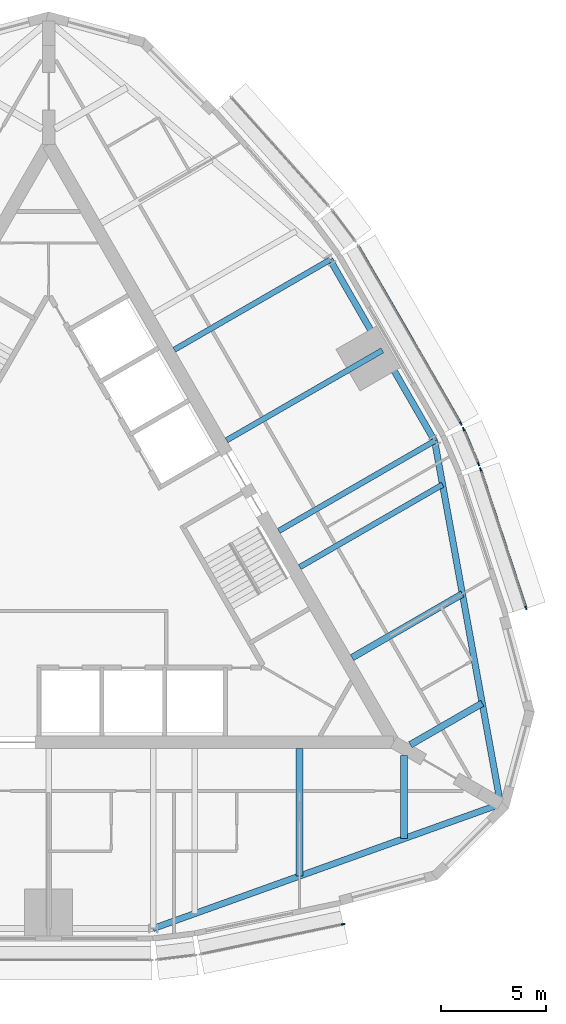
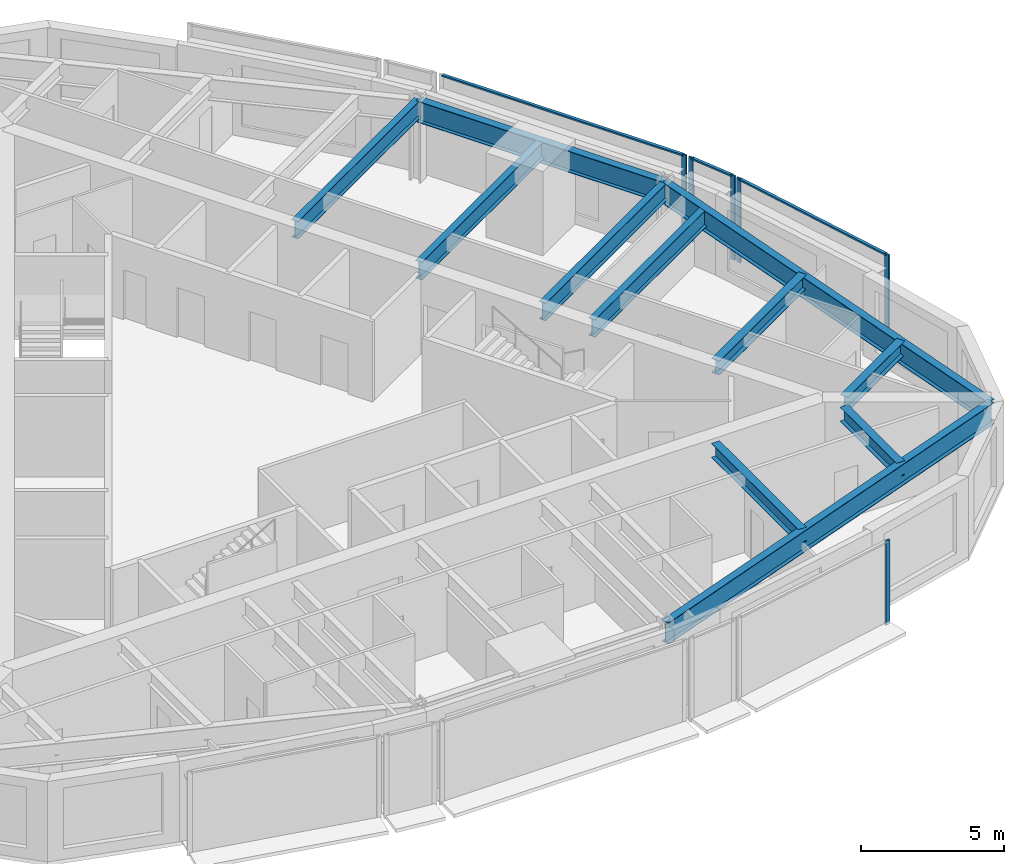
# One storey, part 4 of 12: 11 beams, 9 members, 4 elements without a shape of their own.
"""IFC4 building model written with IfcOpenShell, lengths in metres."""

from ifc_helpers import new_model, si_unit, direction, frame, origin, origin_2d, place, context, subcontext, project, spatial, rectangle, i_section, extrude, material, material_profile, profile_set, type_object, element, aggregate, save


model = new_model("IFC4")

# Units and contexts
model_context = context("Model", 3, precision=1e-05, world=origin(), true_north=direction((0.0, 1.0)))
body_context = subcontext(model_context, "Body", "Model", "MODEL_VIEW")
ifc_project = project(units=[si_unit("LENGTHUNIT", "METRE"), si_unit("AREAUNIT", "SQUARE_METRE"), si_unit("VOLUMEUNIT", "CUBIC_METRE"), si_unit("PLANEANGLEUNIT", "RADIAN"), si_unit("MASSUNIT", "GRAM", prefix="KILO")], contexts=[model_context])

# Site, building, storey
site_placement = place(None, origin())
site = spatial("IfcSite", under=ifc_project, at=site_placement, CompositionType="ELEMENT")
building_placement = place(site_placement, origin())
building = spatial("IfcBuilding", under=site, at=building_placement, Name="Trikona Tower", CompositionType="ELEMENT")
storey_placement = place(building_placement, frame((0.0, 0.0, 264.5)))
storey = spatial("IfcBuildingStorey", under=building, at=storey_placement, Name="L70", CompositionType="ELEMENT", Elevation=264.5)

# Curtain wall, member
ifc_material_1 = material(Name="Aluminium curtain wall system", Category="aluminium")
curtain_wall_type = type_object("IfcCurtainWallType", Name="Curtain wall DS3", PredefinedType="NOTDEFINED", material=ifc_material_1)
curtain_wall_1_placement = place(storey_placement, origin())
curtain_wall_1 = element("IfcCurtainWall", 1, at=curtain_wall_1_placement, inside=storey, type_object=curtain_wall_type, Name="Curtain wall DS3 L70", PredefinedType="NOTDEFINED")
ifc_material_2 = material(Name="Aluminium mullion, pale anodised", Category="aluminium")
ifc_material_profile_1 = material_profile(ifc_material_2, rectangle(XDim=0.070068359375, YDim=0.179931640625, at=origin_2d()), Name="MUL-DS3")
ifc_profile_set_1 = profile_set([ifc_material_profile_1], Name="Aluminium mullion, pale anodised")
member_type_1 = type_object("IfcMemberType", Name="Mullion DS3 70x180", PredefinedType="MULLION", material=ifc_profile_set_1)
member_1_placement = place(storey_placement, frame((14.092041015625, -18.220703125, 0.0), z_axis=(0.0, 0.0, 1.0), x_axis=(-0.205527448396, 0.978651351583, 0.0)))
member_1 = element("IfcMember", 2, at=member_1_placement, type_object=member_type_1, Name="CW-DS3 mullion 2", PredefinedType="MULLION", context=body_context, shape_type="SweptSolid", body=[
    extrude(rectangle(XDim=0.070068359375, YDim=0.179931640625, at=origin_2d()), origin(), (0.0, 0.0, 1.0), 3.60009765625),
])
aggregate(curtain_wall_1, [member_1])

# Curtain wall, members
curtain_wall_2_placement = place(storey_placement, origin())
curtain_wall_2 = element("IfcCurtainWall", 3, at=curtain_wall_2_placement, inside=storey, type_object=curtain_wall_type, Name="Curtain wall DS3 L70", PredefinedType="NOTDEFINED")
member_2_placement = place(storey_placement, frame((22.82568359375, -3.09375, 0.0), z_axis=(0.0, 0.0, 1.0), x_axis=(-0.95029742275, -0.311343553515, 0.0)))
member_2 = element("IfcMember", 4, at=member_2_placement, type_object=member_type_1, Name="CW-DS3 mullion 1", PredefinedType="MULLION", context=body_context, shape_type="SweptSolid", body=[
    extrude(rectangle(XDim=0.070068359375, YDim=0.179931640625, at=origin_2d()), origin(), (0.0, 0.0, 1.0), 3.60009765625),
])
member_3_placement = place(storey_placement, frame((20.657958984375, 3.52294921875, 0.0), z_axis=(0.0, 0.0, 1.0), x_axis=(-0.95029742275, -0.311343553515, 0.0)))
member_3 = element("IfcMember", 5, at=member_3_placement, type_object=member_type_1, Name="CW-DS3 mullion 2", PredefinedType="MULLION", context=body_context, shape_type="SweptSolid", body=[
    extrude(rectangle(XDim=0.070068359375, YDim=0.179931640625, at=origin_2d()), origin(), (0.0, 0.0, 1.0), 3.60009765625),
])

curtain_wall_3_placement = place(storey_placement, origin())
curtain_wall_3 = element("IfcCurtainWall", 6, at=curtain_wall_3_placement, inside=storey, type_object=curtain_wall_type, Name="Curtain wall DS3 L70", PredefinedType="NOTDEFINED")
member_4_placement = place(storey_placement, frame((20.563232421875, 3.7744140625, 0.0), z_axis=(0.0, 0.0, 1.0), x_axis=(-0.919420580163, -0.393275726143, 0.0)))
member_4 = element("IfcMember", 7, at=member_4_placement, type_object=member_type_1, Name="CW-DS3 mullion 1", PredefinedType="MULLION", context=body_context, shape_type="SweptSolid", body=[
    extrude(rectangle(XDim=0.070068359375, YDim=0.179931640625, at=origin_2d()), origin(), (0.0, 0.0, 1.0), 3.60009765625),
])
member_5_placement = place(storey_placement, frame((19.845703125, 5.45166015625, 0.0), z_axis=(0.0, 0.0, 1.0), x_axis=(-0.919420580163, -0.393275726143, 0.0)))
member_5 = element("IfcMember", 8, at=member_5_placement, type_object=member_type_1, Name="CW-DS3 mullion 2", PredefinedType="MULLION", context=body_context, shape_type="SweptSolid", body=[
    extrude(rectangle(XDim=0.070068359375, YDim=0.179931640625, at=origin_2d()), origin(), (0.0, 0.0, 1.0), 3.60009765625),
])

# Curtain wall, member
curtain_wall_4_placement = place(storey_placement, origin())
curtain_wall_4 = element("IfcCurtainWall", 9, at=curtain_wall_4_placement, inside=storey, type_object=curtain_wall_type, Name="Curtain wall DS3 L70", PredefinedType="NOTDEFINED")
member_6_placement = place(storey_placement, frame((19.712890625, 5.717529296875, 0.0), z_axis=(0.0, 0.0, 1.0), x_axis=(-0.866024619633, -0.500001358187, 0.0)))
member_6 = element("IfcMember", 10, at=member_6_placement, type_object=member_type_1, Name="CW-DS3 mullion 1", PredefinedType="MULLION", context=body_context, shape_type="SweptSolid", body=[
    extrude(rectangle(XDim=0.070068359375, YDim=0.179931640625, at=origin_2d()), origin(), (0.0, 0.0, 1.0), 3.60009765625),
])

# Beams
ifc_material_3 = material(Name="Steel ASTM A992 Grade 50", Category="steel")
ifc_material_profile_2 = material_profile(ifc_material_3, i_section(OverallWidth=0.3251953125, OverallDepth=0.612060546875, WebThickness=0.0126953125, FlangeThickness=0.01904296875, at=origin_2d()), Name="W24X104")
ifc_profile_set_2 = profile_set([ifc_material_profile_2], Name="Steel ASTM A992 Grade 50")
beam_type_1 = type_object("IfcBeamType", Name="Steel beam W24x104 (wedge upper)", PredefinedType="BEAM", material=ifc_profile_set_2)
beam_1_placement = place(storey_placement, frame((12.0, -9.826416015625, 3.12890625), z_axis=(0.0, -1.0, 0.0), x_axis=(1.0, 0.0, 0.0)))
element("IfcBeam", 11, at=beam_1_placement, inside=storey, type_object=beam_type_1, Name="Floor beam L71 F1 u12", PredefinedType="BEAM", context=body_context, shape_type="SweptSolid", body=[
    extrude(i_section(OverallWidth=0.3251953125, OverallDepth=0.612060546875, WebThickness=0.0126953125, FlangeThickness=0.01904296875, at=origin_2d()), origin(), (0.0, 0.0, 1.0), 6.094970703125),
])
for number, where, z_axis, x_axis, name in (
    (12, (17.0, -10.161376953125, 3.12890625), (0.0, -1.0, 0.0), (1.0, 0.0, 0.0), "Floor beam L71 F1 u17"),
    (13, (17.300048828125, -9.6416015625, 3.12890625), (0.866030866614, 0.499990537983, 0.0), (-0.499990537983, 0.866030866614, 0.0), "Floor beam L71 F2 u-17"),
):
    element("IfcBeam", number, at=place(storey_placement, frame(where, z_axis=z_axis, x_axis=x_axis)), inside=storey, type_object=beam_type_1, Name=name, PredefinedType="BEAM", context=body_context, shape_type="SweptSolid", body=[
        extrude(i_section(OverallWidth=0.3251953125, OverallDepth=0.612060546875, WebThickness=0.0126953125, FlangeThickness=0.01904296875, at=origin_2d()), origin(), (0.0, 0.0, 1.0), 3.9677734375),
    ])
beam_2_placement = place(storey_placement, frame((14.509765625, -5.479248046875, 3.12890625), z_axis=(0.866023498866, 0.500003299401, 0.0), x_axis=(-0.500003299401, 0.866023498866, 0.0)))
element("IfcBeam", 14, at=beam_2_placement, inside=storey, type_object=beam_type_1, Name="Floor beam L71 F2 u-12", PredefinedType="BEAM", context=body_context, shape_type="SweptSolid", body=[
    extrude(i_section(OverallWidth=0.3251953125, OverallDepth=0.612060546875, WebThickness=0.0126953125, FlangeThickness=0.01904296875, at=origin_2d()), origin(), (0.0, 0.0, 1.0), 6.09521484375),
])
ifc_material_4 = material(Name="Steel ASTM A992 Grade 50", Category="steel")
ifc_material_profile_3 = material_profile(ifc_material_4, i_section(OverallWidth=0.2666015625, OverallDepth=0.7568359375, WebThickness=0.013916015625, FlangeThickness=0.019287109375, at=origin_2d()), Name="W30X108")
ifc_profile_set_3 = profile_set([ifc_material_profile_3], Name="Steel ASTM A992 Grade 50")
beam_type_2 = type_object("IfcBeamType", Name="Steel beam W30x108 (radial upper)", PredefinedType="BEAM", material=ifc_profile_set_3)
beam_3_placement = place(storey_placement, frame((12.009765625, -1.14892578125, 3.056396484375), z_axis=(0.866034560358, 0.499984140014, 0.0), x_axis=(-0.499984140014, 0.866034560358, 0.0)))
element("IfcBeam", 15, at=beam_3_placement, inside=storey, type_object=beam_type_2, Name="Floor beam L71 F2 u-7", PredefinedType="BEAM", context=body_context, shape_type="SweptSolid", body=[
    extrude(i_section(OverallWidth=0.2666015625, OverallDepth=0.7568359375, WebThickness=0.013916015625, FlangeThickness=0.019287109375, at=origin_2d()), origin(), (0.0, 0.0, 1.0), 7.887451171875),
])
beam_4_placement = place(storey_placement, frame((11.009765625, 0.5830078125, 3.056396484375), z_axis=(0.866029182723, 0.49999345463, 0.0), x_axis=(-0.49999345463, 0.866029182723, 0.0)))
element("IfcBeam", 16, at=beam_4_placement, inside=storey, type_object=beam_type_2, Name="Floor beam L71 F2 u-5", PredefinedType="BEAM", context=body_context, shape_type="SweptSolid", body=[
    extrude(i_section(OverallWidth=0.2666015625, OverallDepth=0.7568359375, WebThickness=0.013916015625, FlangeThickness=0.019287109375, at=origin_2d()), origin(), (0.0, 0.0, 1.0), 8.60400390625),
])
beam_5_placement = place(storey_placement, frame((8.509765625, 4.9130859375, 3.056396484375), z_axis=(0.866016896067, 0.50001473551, 0.0), x_axis=(-0.50001473551, 0.866016896067, 0.0)))
element("IfcBeam", 17, at=beam_5_placement, inside=storey, type_object=beam_type_2, Name="Floor beam L71 F2 u0", PredefinedType="BEAM", context=body_context, shape_type="SweptSolid", body=[
    extrude(i_section(OverallWidth=0.2666015625, OverallDepth=0.7568359375, WebThickness=0.013916015625, FlangeThickness=0.019287109375, at=origin_2d()), origin(), (0.0, 0.0, 1.0), 8.604248046875),
])
beam_6_placement = place(storey_placement, frame((6.009765625, 9.243408203125, 3.056396484375), z_axis=(0.866029182723, 0.49999345463, 0.0), x_axis=(-0.49999345463, 0.866029182723, 0.0)))
element("IfcBeam", 18, at=beam_6_placement, inside=storey, type_object=beam_type_2, Name="Floor beam L71 F2 u5", PredefinedType="BEAM", context=body_context, shape_type="SweptSolid", body=[
    extrude(i_section(OverallWidth=0.2666015625, OverallDepth=0.7568359375, WebThickness=0.013916015625, FlangeThickness=0.019287109375, at=origin_2d()), origin(), (0.0, 0.0, 1.0), 8.60400390625),
])
ifc_material_5 = material(Name="Steel ASTM A992 Grade 50", Category="steel")
ifc_material_profile_4 = material_profile(ifc_material_5, i_section(OverallWidth=0.3046875, OverallDepth=0.911865234375, WebThickness=0.015869140625, FlangeThickness=0.02392578125, at=origin_2d()), Name="W36X150")
ifc_profile_set_4 = profile_set([ifc_material_profile_4], Name="Steel ASTM A992 Grade 50")
beam_type_3 = type_object("IfcBeamType", Name="Steel beam W36x150 (spandrel upper)", PredefinedType="SPANDREL", material=ifc_profile_set_4)
for number, where, z_axis, x_axis, name in (
    (19, (5.0, -18.430419921875, 2.97900390625), (0.941358144832, 0.337409014637, 0.0), (-0.337409014637, 0.941358144832, 0.0), "Spandrel beam L71 F1-3"),
    (20, (21.6103515625, -12.476806640625, 2.97900390625), (-0.178472662054, 0.983944870864, 0.0), (-0.983944870864, -0.178472662054, 0.0), "Spandrel beam L71 F2-1"),
):
    element("IfcBeam", number, at=place(storey_placement, frame(where, z_axis=z_axis, x_axis=x_axis)), inside=storey, type_object=beam_type_3, Name=name, PredefinedType="SPANDREL", context=body_context, shape_type="SweptSolid", body=[
        extrude(i_section(OverallWidth=0.3046875, OverallDepth=0.911865234375, WebThickness=0.015869140625, FlangeThickness=0.02392578125, at=origin_2d()), origin(), (0.0, 0.0, 1.0), 17.64501953125),
    ])
beam_7_placement = place(storey_placement, frame((18.461181640625, 4.885009765625, 2.97900390625), z_axis=(-0.499993662806, 0.866029062534, 0.0), x_axis=(-0.866029062534, -0.499993662806, 0.0)))
element("IfcBeam", 21, at=beam_7_placement, inside=storey, type_object=beam_type_3, Name="Spandrel beam L71 F2-2", PredefinedType="SPANDREL", context=body_context, shape_type="SweptSolid", body=[
    extrude(i_section(OverallWidth=0.3046875, OverallDepth=0.911865234375, WebThickness=0.015869140625, FlangeThickness=0.02392578125, at=origin_2d()), origin(), (0.0, 0.0, 1.0), 10.000244140625),
])

# Member
ifc_material_6 = material(Name="Aluminium transom, pale anodised", Category="aluminium")
ifc_material_profile_5 = material_profile(ifc_material_6, rectangle(XDim=0.1201171875, YDim=0.070068359375, at=origin_2d()), Name="TRN-DS3")
ifc_profile_set_5 = profile_set([ifc_material_profile_5], Name="Aluminium transom, pale anodised")
member_type_2 = type_object("IfcMemberType", Name="Transom DS3 70x120", PredefinedType="USERDEFINED", material=ifc_profile_set_5)
member_7_placement = place(storey_placement, frame((22.814697265625, -3.060302734375, 3.56494140625), z_axis=(-0.311346184, 0.950296560926, 0.0), x_axis=(-0.950296560926, -0.311346184, 0.0)))
member_7 = element("IfcMember", 22, at=member_7_placement, type_object=member_type_2, Name="CW-DS3 transom 1.1", ObjectType="TRANSOM", PredefinedType="USERDEFINED", context=body_context, shape_type="SweptSolid", body=[
    extrude(rectangle(XDim=0.1201171875, YDim=0.070068359375, at=origin_2d()), origin(), (0.0, 0.0, 1.0), 6.892578125),
])

aggregate(curtain_wall_2, [member_2, member_3, member_7])

member_8_placement = place(storey_placement, frame((20.549560546875, 3.806640625, 3.56494140625), z_axis=(-0.393314512783, 0.919403988481, 0.0), x_axis=(-0.919403988481, -0.393314512783, 0.0)))
member_8 = element("IfcMember", 23, at=member_8_placement, type_object=member_type_2, Name="CW-DS3 transom 1.1", ObjectType="TRANSOM", PredefinedType="USERDEFINED", context=body_context, shape_type="SweptSolid", body=[
    extrude(rectangle(XDim=0.1201171875, YDim=0.070068359375, at=origin_2d()), origin(), (0.0, 0.0, 1.0), 1.754150390625),
])

aggregate(curtain_wall_3, [member_4, member_5, member_8])

member_9_placement = place(storey_placement, frame((19.6953125, 5.747802734375, 3.56494140625), z_axis=(-0.500010305712, 0.866019453697, 0.0), x_axis=(-0.866019453697, -0.500010305712, 0.0)))
member_9 = element("IfcMember", 24, at=member_9_placement, type_object=member_type_2, Name="CW-DS3 transom 1.1", ObjectType="TRANSOM", PredefinedType="USERDEFINED", context=body_context, shape_type="SweptSolid", body=[
    extrude(rectangle(XDim=0.1201171875, YDim=0.070068359375, at=origin_2d()), origin(), (0.0, 0.0, 1.0), 9.739990234375),
])

aggregate(curtain_wall_4, [member_6, member_9])

save(model, "model.ifc")
